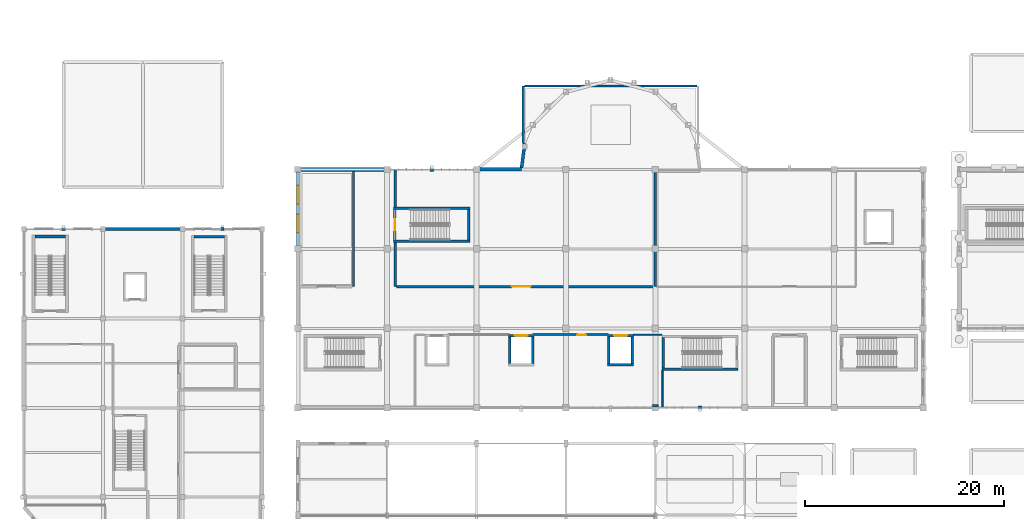
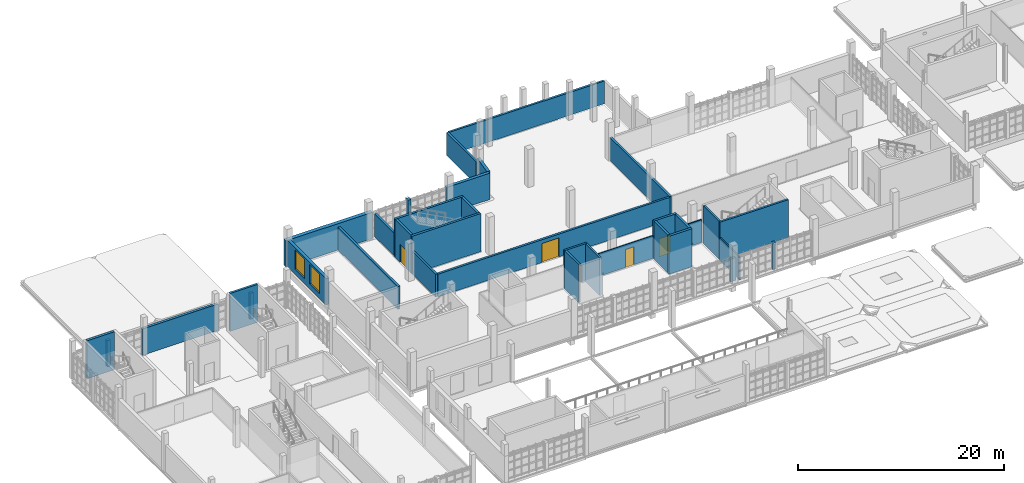
# One storey, part 104 of 125: 35 walls, 5 doors, 2 windows, 7 openings.
"""IFC4 building model written with IfcOpenShell, lengths in metres."""

from ifc_helpers import new_model, si_unit, direction, frame, frame_2d, origin, place, context, subcontext, project, spatial, rectangle, extrude, material, layer, layer_set, type_object, element, fill, save


model = new_model("IFC4")

# Units and contexts
model_context = context("Model", 3, precision=1e-05, world=origin(), true_north=direction((0.0, 1.0)))
body_context = subcontext(model_context, "Body", "Model", "MODEL_VIEW")
ifc_project = project(units=[si_unit("LENGTHUNIT", "METRE"), si_unit("AREAUNIT", "SQUARE_METRE"), si_unit("VOLUMEUNIT", "CUBIC_METRE"), si_unit("PLANEANGLEUNIT", "RADIAN"), si_unit("MASSUNIT", "GRAM", prefix="KILO")], contexts=[model_context])

# Site, building, storey
site_placement = place(None, origin())
site = spatial("IfcSite", under=ifc_project, at=site_placement, CompositionType="ELEMENT")
building_placement = place(site_placement, origin())
building = spatial("IfcBuilding", under=site, at=building_placement, Name="Serraforn Aerial Cableway Station", CompositionType="ELEMENT")
storey_placement = place(building_placement, frame((0.0, 0.0, 4.5)))
storey = spatial("IfcBuildingStorey", under=building, at=storey_placement, Name="L01", CompositionType="ELEMENT", Elevation=4.5)

# Walls
ifc_material_1 = material(Name="Concrete C35/45", Category="concrete")
ifc_layer_1 = layer(ifc_material_1, 0.219970703125)
ifc_layer_set_1 = layer_set([ifc_layer_1], Name="Concrete C35/45")
wall_type_1 = type_object("IfcWallType", Name="WL-COR-220", PredefinedType="SHEAR", material=ifc_layer_set_1)
wall_1_placement = place(storey_placement, frame((64.389892578125, 25.06005859375, 0.0), z_axis=(0.0, 0.0, 1.0), x_axis=(0.0, -1.0, 0.0)))
element("IfcWall", 1, at=wall_1_placement, inside=storey, type_object=wall_type_1, Name="Stair Core Shear Wall WCOR-ST-05-L01-FAR", PredefinedType="SHEAR", context=body_context, shape_type="SweptSolid", body=[
    extrude(rectangle(XDim=3.06005859375, YDim=0.219970703125, at=frame_2d((1.530029296875, 0.0))), origin(), (0.0, 0.0, 1.0), 4.5),
])
wall_2_placement = place(storey_placement, frame((71.919921875, 21.889892578125, 0.0), z_axis=(0.0, 0.0, 1.0), x_axis=(-1.0, 0.0, 0.0)))
element("IfcWall", 2, at=wall_2_placement, inside=storey, type_object=wall_type_1, Name="Stair Core Shear Wall WCOR-ST-05-L01-R", PredefinedType="SHEAR", context=body_context, shape_type="SweptSolid", body=[
    extrude(rectangle(XDim=7.639892578125, YDim=0.219970703125, at=frame_2d((3.81982421875, 0.0))), origin(), (0.0, 0.0, 1.0), 4.5),
])

# Wall, opening, door
wall_3_placement = place(storey_placement, frame((48.830078125, 25.260009765625, 0.0), z_axis=(0.0, 0.0, 1.0), x_axis=(1.0, 0.0, 0.0)))
wall_3 = element("IfcWall", 3, at=wall_3_placement, inside=storey, type_object=wall_type_1, Name="Lift Shaft Shear Wall WLFT-LF-03-L01-N", PredefinedType="SHEAR", context=body_context, shape_type="SweptSolid", body=[
    extrude(rectangle(XDim=2.5400390625, YDim=0.219970703125, at=frame_2d((1.27001953125, 0.0))), origin(), (0.0, 0.0, 1.0), 4.5),
])
opening_1_placement = place(wall_3_placement, frame((0.6201171875, 0.0, 0.0)))
opening_1 = element("IfcOpeningElement", 4, at=opening_1_placement, cuts=wall_3, Name="Opening LD-12", PredefinedType="OPENING", context=body_context, shape_type="SweptSolid", body=[
    extrude(rectangle(XDim=1.300048828125, YDim=2.14990234375, at=frame_2d((0.64990234375, 1.074951171875))), frame((0.0, 0.119873046875, 0.0), z_axis=(0.0, -1.0, 0.0), x_axis=(1.0, 0.0, 0.0)), (0.0, 0.0, 1.0), 0.239990234375),
])
ifc_material_2 = material(Name="Brushed stainless-steel sliding lift landing door", Category="steel")
door_type_1 = type_object("IfcDoorType", Name="DR-LIFT-130", OperationType="SLIDING_TO_RIGHT", PredefinedType="DOOR", material=ifc_material_2)
door_1_placement = place(opening_1_placement, origin())
door_1 = element("IfcDoor", 5, at=door_1_placement, inside=storey, type_object=door_type_1, Name="Sliding Lift Landing Door LD-12 (LF-03 L01)", OperationType="SLIDING_TO_RIGHT", OverallHeight=2.14990234375, OverallWidth=1.300048828125, PredefinedType="DOOR", context=body_context, shape_type="SweptSolid", body=[
    extrude(rectangle(XDim=1.300048828125, YDim=2.14990234375, at=frame_2d((0.64990234375, 1.074951171875))), frame((0.0, 0.02490234375, 0.0), z_axis=(0.0, -1.0, 0.0), x_axis=(1.0, 0.0, 0.0)), (0.0, 0.0, 1.0), 0.050048828125),
])
fill(opening_1, door_1)

# Walls
for number, where, z_axis, x_axis, name in (
    (6, (48.93994140625, 22.449951171875, 0.0), (0.0, 0.0, 1.0), (0.0, 1.0, 0.0), "Lift Shaft Shear Wall WLFT-LF-03-L01-W"),
    (7, (51.260009765625, 22.449951171875, 0.0), (0.0, 0.0, 1.0), (0.0, 1.0, 0.0), "Lift Shaft Shear Wall WLFT-LF-03-L01-E"),
):
    element("IfcWall", number, at=place(storey_placement, frame(where, z_axis=z_axis, x_axis=x_axis)), inside=storey, type_object=wall_type_1, Name=name, PredefinedType="SHEAR", context=body_context, shape_type="SweptSolid", body=[
        extrude(rectangle(XDim=2.699951171875, YDim=0.219970703125, at=frame_2d((1.35009765625, 0.0))), origin(), (0.0, 0.0, 1.0), 4.5),
    ])
ifc_layer_2 = layer(ifc_material_1, 0.25)
ifc_layer_set_2 = layer_set([ifc_layer_2], Name="Concrete C35/45")
wall_type_2 = type_object("IfcWallType", Name="WL-COR-250", PredefinedType="SHEAR", material=ifc_layer_set_2)
wall_4_placement = place(storey_placement, frame((20.199951171875, 35.22509765625, 0.0), z_axis=(0.0, 0.0, 1.0), x_axis=(-1.0, 0.0, 0.0)))
element("IfcWall", 8, at=wall_4_placement, inside=storey, type_object=wall_type_2, Name="Stair Core Shear Wall WCOR-ST-02-L01-FAR", PredefinedType="SHEAR", context=body_context, shape_type="SweptSolid", body=[
    extrude(rectangle(XDim=3.06005859375, YDim=0.25, at=frame_2d((1.530029296875, 0.0))), origin(), (0.0, 0.0, 1.0), 4.5),
])

# Wall, opening, door
wall_5_placement = place(storey_placement, frame((37.375, 34.89990234375, 0.0), z_axis=(0.0, 0.0, 1.0), x_axis=(0.0, 1.0, 0.0)))
wall_5 = element("IfcWall", 9, at=wall_5_placement, inside=storey, type_object=wall_type_2, Name="Stair Core Shear Wall WCOR-ST-04-L01-NEAR", PredefinedType="SHEAR", context=body_context, shape_type="SweptSolid", body=[
    extrude(rectangle(XDim=3.06005859375, YDim=0.25, at=frame_2d((1.530029296875, 0.0))), origin(), (0.0, 0.0, 1.0), 4.5),
])
opening_2_placement = place(wall_5_placement, frame((0.955078125, 0.0, 0.0)))
opening_2 = element("IfcOpeningElement", 10, at=opening_2_placement, cuts=wall_5, Name="Opening D-S19", PredefinedType="OPENING", context=body_context, shape_type="SweptSolid", body=[
    extrude(rectangle(XDim=1.14990234375, YDim=2.14990234375, at=frame_2d((0.574951171875, 1.074951171875))), frame((0.0, 0.135009765625, 0.0), z_axis=(0.0, -1.0, 0.0), x_axis=(1.0, 0.0, 0.0)), (0.0, 0.0, 1.0), 0.27001953125),
])
ifc_material_3 = material(Name="Self-closing steel stair fire door", Category="steel")
door_type_2 = type_object("IfcDoorType", Name="DR-STAIR-115", OperationType="NOTDEFINED", PredefinedType="DOOR", material=ifc_material_3)
door_2_placement = place(opening_2_placement, origin())
door_2 = element("IfcDoor", 11, at=door_2_placement, inside=storey, type_object=door_type_2, Name="Protected Stair Door D-S19", OperationType="SINGLE_SWING_LEFT", OverallHeight=2.14990234375, OverallWidth=1.14990234375, PredefinedType="DOOR", context=body_context, shape_type="SweptSolid", body=[
    extrude(rectangle(XDim=1.14990234375, YDim=2.14990234375, at=frame_2d((0.574951171875, 1.074951171875))), frame((0.0, 0.02490234375, 0.0), z_axis=(0.0, -1.0, 0.0), x_axis=(1.0, 0.0, 0.0)), (0.0, 0.0, 1.0), 0.050048828125),
])
fill(opening_2, door_2)

# Walls
wall_6_placement = place(storey_placement, frame((44.824951171875, 34.89990234375, 0.0), z_axis=(0.0, 0.0, 1.0), x_axis=(0.0, 1.0, 0.0)))
element("IfcWall", 12, at=wall_6_placement, inside=storey, type_object=wall_type_2, Name="Stair Core Shear Wall WCOR-ST-04-L01-FAR", PredefinedType="SHEAR", context=body_context, shape_type="SweptSolid", body=[
    extrude(rectangle(XDim=3.06005859375, YDim=0.25, at=frame_2d((1.530029296875, 0.0))), origin(), (0.0, 0.0, 1.0), 4.5),
])
for number, where, z_axis, x_axis, name in (
    (13, (37.25, 34.77490234375, 0.0), (0.0, 0.0, 1.0), (1.0, 0.0, 0.0), "Stair Core Shear Wall WCOR-ST-04-L01-L"),
    (14, (37.25, 38.0849609375, 0.0), (0.0, 0.0, 1.0), (1.0, 0.0, 0.0), "Stair Core Shear Wall WCOR-ST-04-L01-R"),
):
    element("IfcWall", number, at=place(storey_placement, frame(where, z_axis=z_axis, x_axis=x_axis)), inside=storey, type_object=wall_type_2, Name=name, PredefinedType="SHEAR", context=body_context, shape_type="SweptSolid", body=[
        extrude(rectangle(XDim=7.699951171875, YDim=0.25, at=frame_2d((3.85009765625, 0.0))), origin(), (0.0, 0.0, 1.0), 4.5),
    ])
wall_7_placement = place(storey_placement, frame((58.800048828125, 22.324951171875, 0.0), z_axis=(0.0, 0.0, 1.0), x_axis=(1.0, 0.0, 0.0)))
element("IfcWall", 15, at=wall_7_placement, inside=storey, type_object=wall_type_2, Name="Lift Shaft Shear Wall WLFT-LF-04-L01-S", PredefinedType="SHEAR", context=body_context, shape_type="SweptSolid", body=[
    extrude(rectangle(XDim=2.599853515625, YDim=0.25, at=frame_2d((1.2998046875, 0.0))), origin(), (0.0, 0.0, 1.0), 4.5),
])

# Wall, opening, door
wall_8_placement = place(storey_placement, frame((58.800048828125, 25.27490234375, 0.0), z_axis=(0.0, 0.0, 1.0), x_axis=(1.0, 0.0, 0.0)))
wall_8 = element("IfcWall", 16, at=wall_8_placement, inside=storey, type_object=wall_type_2, Name="Lift Shaft Shear Wall WLFT-LF-04-L01-N", PredefinedType="SHEAR", context=body_context, shape_type="SweptSolid", body=[
    extrude(rectangle(XDim=2.599853515625, YDim=0.25, at=frame_2d((1.2998046875, 0.0))), origin(), (0.0, 0.0, 1.0), 4.5),
])
opening_3_placement = place(wall_8_placement, frame((0.64990234375, 0.0, 0.0)))
opening_3 = element("IfcOpeningElement", 17, at=opening_3_placement, cuts=wall_8, Name="Opening LD-16", PredefinedType="OPENING", context=body_context, shape_type="SweptSolid", body=[
    extrude(rectangle(XDim=1.300048828125, YDim=2.14990234375, at=frame_2d((0.64990234375, 1.074951171875))), frame((0.0, 0.135009765625, 0.0), z_axis=(0.0, -1.0, 0.0), x_axis=(1.0, 0.0, 0.0)), (0.0, 0.0, 1.0), 0.27001953125),
])
door_3_placement = place(opening_3_placement, origin())
door_3 = element("IfcDoor", 18, at=door_3_placement, inside=storey, type_object=door_type_1, Name="Sliding Lift Landing Door LD-16 (LF-04 L01)", OperationType="SLIDING_TO_RIGHT", OverallHeight=2.14990234375, OverallWidth=1.300048828125, PredefinedType="DOOR", context=body_context, shape_type="SweptSolid", body=[
    extrude(rectangle(XDim=1.300048828125, YDim=2.14990234375, at=frame_2d((0.64990234375, 1.074951171875))), frame((0.0, 0.02490234375, 0.0), z_axis=(0.0, -1.0, 0.0), x_axis=(1.0, 0.0, 0.0)), (0.0, 0.0, 1.0), 0.050048828125),
])
fill(opening_3, door_3)

# Walls
for number, where, z_axis, x_axis, name in (
    (19, (58.925048828125, 22.449951171875, 0.0), (0.0, 0.0, 1.0), (0.0, 1.0, 0.0), "Lift Shaft Shear Wall WLFT-LF-04-L01-W"),
    (20, (61.27490234375, 22.449951171875, 0.0), (0.0, 0.0, 1.0), (0.0, 1.0, 0.0), "Lift Shaft Shear Wall WLFT-LF-04-L01-E"),
):
    element("IfcWall", number, at=place(storey_placement, frame(where, z_axis=z_axis, x_axis=x_axis)), inside=storey, type_object=wall_type_2, Name=name, PredefinedType="SHEAR", context=body_context, shape_type="SweptSolid", body=[
        extrude(rectangle(XDim=2.699951171875, YDim=0.25, at=frame_2d((1.35009765625, 0.0))), origin(), (0.0, 0.0, 1.0), 4.5),
    ])
ifc_layer_3 = layer(ifc_material_1, 0.300048828125)
ifc_layer_set_3 = layer_set([ifc_layer_3], Name="Concrete C35/45")
wall_type_3 = type_object("IfcWallType", Name="WL-COR-300", PredefinedType="SHEAR", material=ifc_layer_set_3)
wall_9_placement = place(storey_placement, frame((4.199951171875, 35.25, 0.0), z_axis=(0.0, 0.0, 1.0), x_axis=(-1.0, 0.0, 0.0)))
element("IfcWall", 21, at=wall_9_placement, inside=storey, type_object=wall_type_3, Name="Stair Core Shear Wall WCOR-ST-01-L01-FAR", PredefinedType="SHEAR", context=body_context, shape_type="SweptSolid", body=[
    extrude(rectangle(XDim=3.06005859375, YDim=0.300048828125, at=frame_2d((1.530029296875, 0.0))), origin(), (0.0, 0.0, 1.0), 4.5),
])
ifc_material_4 = material(Name="Insulated stuccoed terracotta facade", Category="masonry")
ifc_layer_4 = layer(ifc_material_4, 0.27490234375)
ifc_layer_set_4 = layer_set([ifc_layer_4], Name="Insulated stuccoed terracotta facade")
wall_type_4 = type_object("IfcWallType", Name="WL-EXT-275", PredefinedType="SOLIDWALL", material=ifc_layer_set_4)
wall_10_placement = place(storey_placement, frame((20.179931640625, 36.0, 0.0), z_axis=(0.0, 0.0, 1.0), x_axis=(-1.0, 0.0, 0.0)))
element("IfcWall", 22, at=wall_10_placement, inside=storey, type_object=wall_type_4, Name="Exterior Wall WPIER-W-L01-N3", PredefinedType="SOLIDWALL", context=body_context, shape_type="SweptSolid", body=[
    extrude(rectangle(XDim=0.35986328125, YDim=0.27490234375, at=frame_2d((0.179931640625, 0.0))), origin(), (0.0, 0.0, 1.0), 3.1201171875),
])
ifc_material_5 = material(Name="Insulated fluted limestone rainscreen", Category="masonry")
ifc_layer_5 = layer(ifc_material_5, 0.2900390625)
ifc_layer_set_5 = layer_set([ifc_layer_5], Name="Insulated fluted limestone rainscreen")
wall_type_5 = type_object("IfcWallType", Name="WL-EXT-290", PredefinedType="SOLIDWALL", material=ifc_layer_set_5)
wall_11_placement = place(storey_placement, frame((16.25, 36.0, 0.0), z_axis=(0.0, 0.0, 1.0), x_axis=(-1.0, 0.0, 0.0)))
element("IfcWall", 23, at=wall_11_placement, inside=storey, type_object=wall_type_5, Name="Exterior Wall WEXT-W-L01-N2", PredefinedType="SOLIDWALL", context=body_context, shape_type="SweptSolid", body=[
    extrude(rectangle(XDim=8.5, YDim=0.2900390625, at=frame_2d((4.25, 0.0))), origin(), (0.0, 0.0, 1.0), 3.1201171875),
])
ifc_layer_6 = layer(ifc_material_5, 0.304931640625)
ifc_layer_set_6 = layer_set([ifc_layer_6], Name="Insulated fluted limestone rainscreen")
wall_type_6 = type_object("IfcWallType", Name="WL-EXT-305", PredefinedType="SOLIDWALL", material=ifc_layer_set_6)
wall_12_placement = place(storey_placement, frame((4.179931640625, 36.0, 0.0), z_axis=(0.0, 0.0, 1.0), x_axis=(-1.0, 0.0, 0.0)))
element("IfcWall", 24, at=wall_12_placement, inside=storey, type_object=wall_type_6, Name="Exterior Wall WPIER-W-L01-N1", PredefinedType="SOLIDWALL", context=body_context, shape_type="SweptSolid", body=[
    extrude(rectangle(XDim=0.35986328125, YDim=0.304931640625, at=frame_2d((0.179931640625, 0.0))), origin(), (0.0, 0.0, 1.0), 3.1201171875),
])
ifc_layer_7 = layer(ifc_material_5, 0.320068359375)
ifc_layer_set_7 = layer_set([ifc_layer_7], Name="Insulated fluted limestone rainscreen")
wall_type_7 = type_object("IfcWallType", Name="WL-EXT-320", PredefinedType="SOLIDWALL", material=ifc_layer_set_7)
wall_13_placement = place(storey_placement, frame((67.919921875, 18.0, 0.0), z_axis=(0.0, 0.0, 1.0), x_axis=(1.0, 0.0, 0.0)))
element("IfcWall", 25, at=wall_13_placement, inside=storey, type_object=wall_type_7, Name="Exterior Wall WPIER-CV-L01-S5", PredefinedType="SOLIDWALL", context=body_context, shape_type="SweptSolid", body=[
    extrude(rectangle(XDim=0.360107421875, YDim=0.320068359375, at=frame_2d((0.18017578125, 0.0))), origin(), (0.0, 0.0, 1.0), 3.1201171875),
])
wall_14_placement = place(storey_placement, frame((50.443359375, 44.607421875, 0.0), z_axis=(0.0, 0.0, 1.0), x_axis=(-0.1305548243, -0.991441091468, 0.0)))
element("IfcWall", 26, at=wall_14_placement, inside=storey, type_object=wall_type_7, Name="Exterior Wall WEXT-AP-L01-R1", PredefinedType="SOLIDWALL", context=body_context, shape_type="SweptSolid", body=[
    extrude(rectangle(XDim=2.455322265625, YDim=0.320068359375, at=frame_2d((1.2275390625, 0.0))), origin(), (0.0, 0.0, 1.0), 3.1201171875),
])
ifc_material_6 = material(Name="Montjuic sandstone ashlar masonry", Category="masonry")
ifc_layer_8 = layer(ifc_material_6, 0.35009765625)
ifc_layer_set_8 = layer_set([ifc_layer_8], Name="Montjuic sandstone ashlar masonry")
wall_type_8 = type_object("IfcWallType", Name="WL-EXT-350", PredefinedType="SOLIDWALL", material=ifc_layer_set_8)
wall_15_placement = place(storey_placement, frame((50.10009765625, 42.0, 0.0), z_axis=(0.0, 0.0, 1.0), x_axis=(-1.0, 0.0, 0.0)))
element("IfcWall", 27, at=wall_15_placement, inside=storey, type_object=wall_type_8, Name="Exterior Wall WEXT-CV-L01-N3", PredefinedType="SOLIDWALL", context=body_context, shape_type="SweptSolid", body=[
    extrude(rectangle(XDim=4.8251953125, YDim=0.35009765625, at=frame_2d((2.41259765625, 0.0))), origin(), (0.0, 0.0, 1.0), 3.1201171875),
])

# Wall, openings, windows
wall_16_placement = place(storey_placement, frame((27.60009765625, 41.79150390625, 0.0), z_axis=(0.0, 0.0, 1.0), x_axis=(0.0, -1.0, 0.0)))
wall_16 = element("IfcWall", 28, at=wall_16_placement, inside=storey, type_object=wall_type_8, Name="Exterior Wall WEXT-CV-L01-W3", PredefinedType="SOLIDWALL", context=body_context, shape_type="SweptSolid", body=[
    extrude(rectangle(XDim=7.465576171875, YDim=0.35009765625, at=frame_2d((3.73291015625, 0.0))), origin(), (0.0, 0.0, 1.0), 3.1201171875),
])
opening_4_placement = place(wall_16_placement, frame((1.4248046875, 0.0, 0.60009765625)))
opening_4 = element("IfcOpeningElement", 29, at=opening_4_placement, cuts=wall_16, Name="Opening W-11", PredefinedType="OPENING", context=body_context, shape_type="SweptSolid", body=[
    extrude(rectangle(XDim=1.85009765625, YDim=2.300048828125, at=frame_2d((0.925048828125, 1.14990234375))), frame((0.0, 0.18505859375, 0.0), z_axis=(0.0, -1.0, 0.0), x_axis=(1.0, 0.0, 0.0)), (0.0, 0.0, 1.0), 0.3701171875),
])
opening_5_placement = place(wall_16_placement, frame((4.30810546875, 0.0, 0.60009765625)))
opening_5 = element("IfcOpeningElement", 30, at=opening_5_placement, cuts=wall_16, Name="Opening W-11", PredefinedType="OPENING", context=body_context, shape_type="SweptSolid", body=[
    extrude(rectangle(XDim=1.85009765625, YDim=2.300048828125, at=frame_2d((0.925048828125, 1.14990234375))), frame((0.0, 0.18505859375, 0.0), z_axis=(0.0, -1.0, 0.0), x_axis=(1.0, 0.0, 0.0)), (0.0, 0.0, 1.0), 0.3701171875),
])
ifc_material_7 = material(Name="Anodised bronze aluminium and low-E double glazing", Category="aluminium")
window_type = type_object("IfcWindowType", Name="WIN-ART-11", PartitioningType="SINGLE_PANEL", PredefinedType="WINDOW", material=ifc_material_7)
window_1_placement = place(opening_4_placement, origin())
window_1 = element("IfcWindow", 31, at=window_1_placement, inside=storey, type_object=window_type, Name="Art Deco Window WEXT-CV-L01-W3-W1", OverallHeight=2.300048828125, OverallWidth=1.85009765625, PartitioningType="SINGLE_PANEL", PredefinedType="WINDOW", context=body_context, shape_type="SweptSolid", body=[
    extrude(rectangle(XDim=1.85009765625, YDim=2.300048828125, at=frame_2d((0.925048828125, 1.14990234375))), frame((0.0, 0.030029296875, 0.0), z_axis=(0.0, -1.0, 0.0), x_axis=(1.0, 0.0, 0.0)), (0.0, 0.0, 1.0), 0.06005859375),
])
fill(opening_4, window_1)
window_2_placement = place(opening_5_placement, origin())
window_2 = element("IfcWindow", 32, at=window_2_placement, inside=storey, type_object=window_type, Name="Art Deco Window WEXT-CV-L01-W3-W2", OverallHeight=2.300048828125, OverallWidth=1.85009765625, PartitioningType="SINGLE_PANEL", PredefinedType="WINDOW", context=body_context, shape_type="SweptSolid", body=[
    extrude(rectangle(XDim=1.85009765625, YDim=2.300048828125, at=frame_2d((0.925048828125, 1.14990234375))), frame((0.0, 0.030029296875, 0.0), z_axis=(0.0, -1.0, 0.0), x_axis=(1.0, 0.0, 0.0)), (0.0, 0.0, 1.0), 0.06005859375),
])
fill(opening_5, window_2)

# Walls
ifc_layer_9 = layer(ifc_material_6, 0.3798828125)
ifc_layer_set_9 = layer_set([ifc_layer_9], Name="Montjuic sandstone ashlar masonry")
wall_type_9 = type_object("IfcWallType", Name="WL-EXT-380", PredefinedType="SOLIDWALL", material=ifc_layer_set_9)
wall_17_placement = place(storey_placement, frame((41.280029296875, 42.0, 0.0), z_axis=(0.0, 0.0, 1.0), x_axis=(-1.0, 0.0, 0.0)))
element("IfcWall", 33, at=wall_17_placement, inside=storey, type_object=wall_type_9, Name="Exterior Wall WPIER-CV-L01-N2", PredefinedType="SOLIDWALL", context=body_context, shape_type="SweptSolid", body=[
    extrude(rectangle(XDim=0.360107421875, YDim=0.3798828125, at=frame_2d((0.18017578125, 0.0))), origin(), (0.0, 0.0, 1.0), 3.1201171875),
])
ifc_layer_10 = layer(ifc_material_6, 0.4150390625)
ifc_layer_set_10 = layer_set([ifc_layer_10], Name="Montjuic sandstone ashlar masonry")
wall_type_10 = type_object("IfcWallType", Name="WL-EXT-415", PredefinedType="SOLIDWALL", material=ifc_layer_set_10)
wall_18_placement = place(storey_placement, frame((36.925048828125, 42.0, 0.0), z_axis=(0.0, 0.0, 1.0), x_axis=(-1.0, 0.0, 0.0)))
element("IfcWall", 34, at=wall_18_placement, inside=storey, type_object=wall_type_10, Name="Exterior Wall WEXT-CV-L01-N1", PredefinedType="SOLIDWALL", context=body_context, shape_type="SweptSolid", body=[
    extrude(rectangle(XDim=9.650146484375, YDim=0.4150390625, at=frame_2d((4.8251953125, 0.0))), origin(), (0.0, 0.0, 1.0), 3.1201171875),
])
ifc_material_8 = material(Name="Concrete C30/37", Category="concrete")
ifc_layer_11 = layer(ifc_material_8, 0.241943359375)
ifc_layer_set_11 = layer_set([ifc_layer_11], Name="Concrete C30/37")
wall_type_11 = type_object("IfcWallType", Name="WL-FIR-242", PredefinedType="SOLIDWALL", material=ifc_layer_set_11)
wall_19_placement = place(storey_placement, frame((33.199951171875, 41.79150390625, 0.0), z_axis=(0.0, 0.0, 1.0), x_axis=(0.0, -1.0, 0.0)))
element("IfcWall", 35, at=wall_19_placement, inside=storey, type_object=wall_type_11, Name="Interior Partition WPRT-L01-24-122", PredefinedType="SOLIDWALL", context=body_context, shape_type="SweptSolid", body=[
    extrude(rectangle(XDim=11.591552734375, YDim=0.241943359375, at=frame_2d((5.7958984375, 0.0))), origin(), (0.0, 0.0, 1.0), 2.699951171875),
])
wall_20_placement = place(storey_placement, frame((37.39990234375, 30.199951171875, 0.0), z_axis=(0.0, 0.0, 1.0), x_axis=(0.0, 1.0, 0.0)))
element("IfcWall", 36, at=wall_20_placement, inside=storey, type_object=wall_type_11, Name="Interior Partition WPRT-L01-06-124", PredefinedType="SOLIDWALL", context=body_context, shape_type="SweptSolid", body=[
    extrude(rectangle(XDim=4.448974609375, YDim=0.241943359375, at=frame_2d((2.224609375, 0.0))), origin(), (0.0, 0.0, 1.0), 2.699951171875),
])
wall_21_placement = place(storey_placement, frame((50.300048828125, 44.62939453125, 0.0), z_axis=(0.0, 0.0, 1.0), x_axis=(0.0, 1.0, 0.0)))
element("IfcWall", 37, at=wall_21_placement, inside=storey, type_object=wall_type_11, Name="Interior Partition WPRT-L01-06-126", PredefinedType="SOLIDWALL", context=body_context, shape_type="SweptSolid", body=[
    extrude(rectangle(XDim=5.7705078125, YDim=0.241943359375, at=frame_2d((2.88525390625, 0.0))), origin(), (0.0, 0.0, 1.0), 2.699951171875),
])
wall_22_placement = place(storey_placement, frame((63.60009765625, 41.800048828125, 0.0), z_axis=(0.0, 0.0, 1.0), x_axis=(0.0, -1.0, 0.0)))
element("IfcWall", 38, at=wall_22_placement, inside=storey, type_object=wall_type_11, Name="Interior Partition WPRT-L01-06-130", PredefinedType="SOLIDWALL", context=body_context, shape_type="SweptSolid", body=[
    extrude(rectangle(XDim=11.60009765625, YDim=0.241943359375, at=frame_2d((5.800048828125, 0.0))), origin(), (0.0, 0.0, 1.0), 2.699951171875),
])

# Wall, opening, door
ifc_material_9 = material(Name="Glazed acoustic timber-framed partition", Category="wood")
ifc_layer_12 = layer(ifc_material_9, 0.092041015625)
ifc_layer_set_12 = layer_set([ifc_layer_12], Name="Glazed acoustic timber-framed partition")
wall_type_12 = type_object("IfcWallType", Name="WL-PRT-092", PredefinedType="PARTITIONING", material=ifc_layer_set_12)
wall_23_placement = place(storey_placement, frame((51.37109375, 25.35009765625, 0.0), z_axis=(0.0, 0.0, 1.0), x_axis=(1.0, 0.0, 0.0)))
wall_23 = element("IfcWall", 39, at=wall_23_placement, inside=storey, type_object=wall_type_12, Name="Interior Partition WPRT-L01-20-117", PredefinedType="PARTITIONING", context=body_context, shape_type="SweptSolid", body=[
    extrude(rectangle(XDim=7.427978515625, YDim=0.092041015625, at=frame_2d((3.7138671875, 0.0))), origin(), (0.0, 0.0, 1.0), 2.699951171875),
])
opening_6_placement = place(wall_23_placement, frame((4.368896484375, 0.0, 0.0)))
opening_6 = element("IfcOpeningElement", 40, at=opening_6_placement, cuts=wall_23, Name="Opening DI-037", PredefinedType="OPENING", context=body_context, shape_type="SweptSolid", body=[
    extrude(rectangle(XDim=0.919921875, YDim=2.1201171875, at=frame_2d((0.4599609375, 1.06005859375))), frame((0.0, 0.055908203125, 0.0), z_axis=(0.0, -1.0, 0.0), x_axis=(1.0, 0.0, 0.0)), (0.0, 0.0, 1.0), 0.112060546875),
])
ifc_material_10 = material(Name="Timber acoustic veneer leaf", Category="wood")
door_type_3 = type_object("IfcDoorType", Name="DR-INT-092", OperationType="NOTDEFINED", PredefinedType="DOOR", material=ifc_material_10)
door_4_placement = place(opening_6_placement, origin())
door_4 = element("IfcDoor", 41, at=door_4_placement, inside=storey, type_object=door_type_3, Name="Room Door DI-037 (L01-20)", OperationType="SINGLE_SWING_RIGHT", OverallHeight=2.1201171875, OverallWidth=0.919921875, PredefinedType="DOOR", context=body_context, shape_type="SweptSolid", body=[
    extrude(rectangle(XDim=0.919921875, YDim=2.1201171875, at=frame_2d((0.4599609375, 1.06005859375))), frame((0.0, 0.02490234375, 0.0), z_axis=(0.0, -1.0, 0.0), x_axis=(1.0, 0.0, 0.0)), (0.0, 0.0, 1.0), 0.050048828125),
])
fill(opening_6, door_4)

# Walls
ifc_material_11 = material(Name="Acoustic twin-stud gypsum partition")
ifc_layer_13 = layer(ifc_material_11, 0.135009765625)
ifc_layer_set_13 = layer_set([ifc_layer_13], Name="Acoustic twin-stud gypsum partition")
wall_type_13 = type_object("IfcWallType", Name="WL-PRT-135", PredefinedType="PARTITIONING", material=ifc_layer_set_13)
wall_24_placement = place(storey_placement, frame((61.40087890625, 25.35009765625, 0.0), z_axis=(0.0, 0.0, 1.0), x_axis=(1.0, 0.0, 0.0)))
element("IfcWall", 42, at=wall_24_placement, inside=storey, type_object=wall_type_13, Name="Interior Partition WPRT-L01-20-118", PredefinedType="PARTITIONING", context=body_context, shape_type="SweptSolid", body=[
    extrude(rectangle(XDim=2.859130859375, YDim=0.135009765625, at=frame_2d((1.4296875, 0.0))), origin(), (0.0, 0.0, 1.0), 2.699951171875),
])
ifc_layer_14 = layer(ifc_material_11, 0.14501953125)
ifc_layer_set_14 = layer_set([ifc_layer_14], Name="Acoustic twin-stud gypsum partition")
wall_type_14 = type_object("IfcWallType", Name="WL-PRT-145", PredefinedType="PARTITIONING", material=ifc_layer_set_14)
wall_25_placement = place(storey_placement, frame((64.300048828125, 21.779052734375, 0.0), z_axis=(0.0, 0.0, 1.0), x_axis=(0.0, -1.0, 0.0)))
element("IfcWall", 43, at=wall_25_placement, inside=storey, type_object=wall_type_14, Name="Interior Partition WPRT-L01-20-119", PredefinedType="PARTITIONING", context=body_context, shape_type="SweptSolid", body=[
    extrude(rectangle(XDim=3.779052734375, YDim=0.14501953125, at=frame_2d((1.8896484375, 0.0))), origin(), (0.0, 0.0, 1.0), 2.699951171875),
])
ifc_material_12 = material(Name="Acoustic masonry blockwork", Category="masonry")
ifc_layer_15 = layer(ifc_material_12, 0.235107421875)
ifc_layer_set_15 = layer_set([ifc_layer_15], Name="Acoustic masonry blockwork")
wall_type_15 = type_object("IfcWallType", Name="WL-PRT-235", PredefinedType="PARTITIONING", material=ifc_layer_set_15)
wall_26_placement = place(storey_placement, frame((63.903076171875, 18.199951171875, 0.0), z_axis=(0.0, 0.0, 1.0), x_axis=(-1.0, 0.0, 0.0)))
element("IfcWall", 44, at=wall_26_placement, inside=storey, type_object=wall_type_15, Name="Interior Partition WPRT-L01-20-120", PredefinedType="PARTITIONING", context=body_context, shape_type="SweptSolid", body=[
    extrude(rectangle(XDim=0.60595703125, YDim=0.235107421875, at=frame_2d((0.302978515625, 0.0))), origin(), (0.0, 0.0, 1.0), 2.699951171875),
])
wall_27_placement = place(storey_placement, frame((37.39990234375, 38.2109375, 0.0), z_axis=(0.0, 0.0, 1.0), x_axis=(0.0, 1.0, 0.0)))
element("IfcWall", 45, at=wall_27_placement, inside=storey, type_object=wall_type_15, Name="Interior Partition WPRT-L01-06-125", PredefinedType="PARTITIONING", context=body_context, shape_type="SweptSolid", body=[
    extrude(rectangle(XDim=3.7890625, YDim=0.235107421875, at=frame_2d((1.89453125, 0.0))), origin(), (0.0, 0.0, 1.0), 2.699951171875),
])
wall_28_placement = place(storey_placement, frame((50.422119140625, 50.39990234375, 0.0), z_axis=(0.0, 0.0, 1.0), x_axis=(1.0, 0.0, 0.0)))
element("IfcWall", 46, at=wall_28_placement, inside=storey, type_object=wall_type_15, Name="Interior Partition WPRT-L01-06-127", PredefinedType="PARTITIONING", context=body_context, shape_type="SweptSolid", body=[
    extrude(rectangle(XDim=17.35595703125, YDim=0.235107421875, at=frame_2d((8.677978515625, 0.0))), origin(), (0.0, 0.0, 1.0), 2.699951171875),
])

# Wall, opening, door
wall_29_placement = place(storey_placement, frame((63.47802734375, 30.199951171875, 0.0), z_axis=(0.0, 0.0, 1.0), x_axis=(-1.0, 0.0, 0.0)))
wall_29 = element("IfcWall", 47, at=wall_29_placement, inside=storey, type_object=wall_type_15, Name="Interior Partition WPRT-L01-06-131", PredefinedType="PARTITIONING", context=body_context, shape_type="SweptSolid", body=[
    extrude(rectangle(XDim=25.9560546875, YDim=0.235107421875, at=frame_2d((12.97802734375, 0.0))), origin(), (0.0, 0.0, 1.0), 2.699951171875),
])
opening_7_placement = place(wall_29_placement, frame((12.43798828125, 0.0, 0.0)))
opening_7 = element("IfcOpeningElement", 48, at=opening_7_placement, cuts=wall_29, Name="Opening DI-039", PredefinedType="OPENING", context=body_context, shape_type="SweptSolid", body=[
    extrude(rectangle(XDim=1.8798828125, YDim=2.25, at=frame_2d((0.93994140625, 1.125))), frame((0.0, 0.12744140625, 0.0), z_axis=(0.0, -1.0, 0.0), x_axis=(1.0, 0.0, 0.0)), (0.0, 0.0, 1.0), 0.255126953125),
])
ifc_material_13 = material(Name="Double-leaf machinery vault door")
door_type_4 = type_object("IfcDoorType", Name="DR-INT-188", OperationType="NOTDEFINED", PredefinedType="DOOR", material=ifc_material_13)
door_5_placement = place(opening_7_placement, origin())
door_5 = element("IfcDoor", 49, at=door_5_placement, inside=storey, type_object=door_type_4, Name="Room Door DI-039 (L01-06)", OperationType="SINGLE_SWING_RIGHT", OverallHeight=2.25, OverallWidth=1.8798828125, PredefinedType="DOOR", context=body_context, shape_type="SweptSolid", body=[
    extrude(rectangle(XDim=1.8798828125, YDim=2.25, at=frame_2d((0.93994140625, 1.125))), frame((0.0, 0.02490234375, 0.0), z_axis=(0.0, -1.0, 0.0), x_axis=(1.0, 0.0, 0.0)), (0.0, 0.0, 1.0), 0.050048828125),
])
fill(opening_7, door_5)

save(model, "model.ifc")
